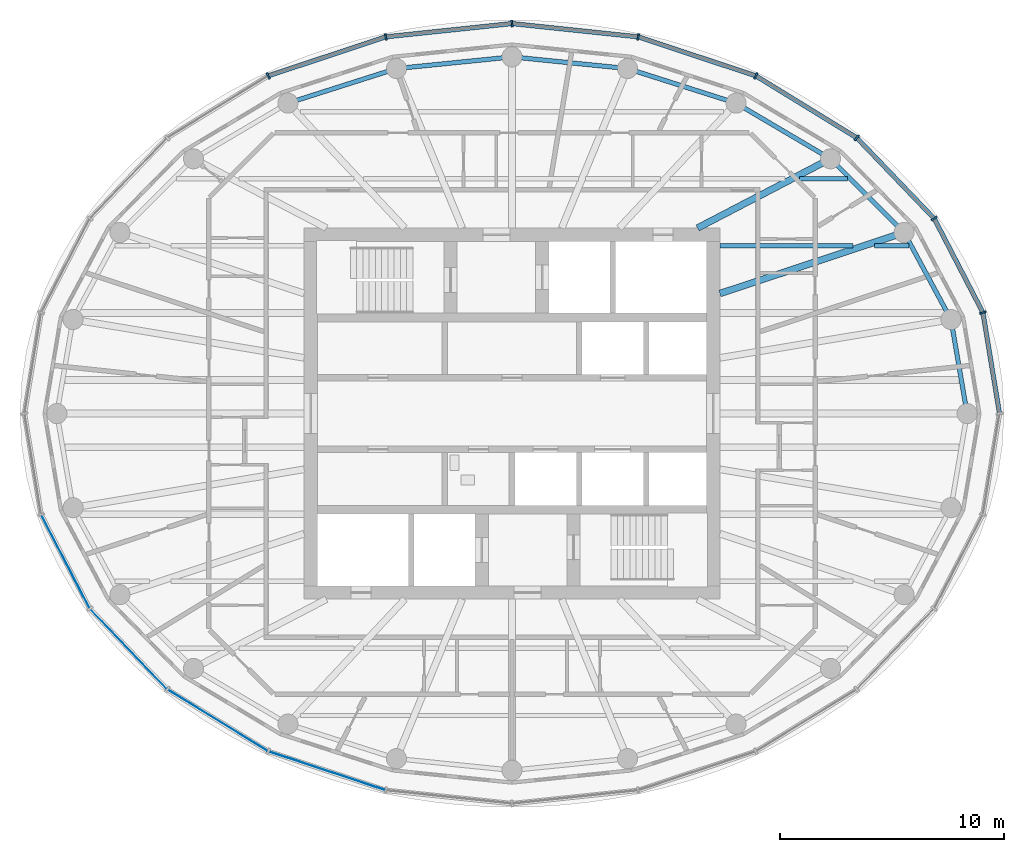
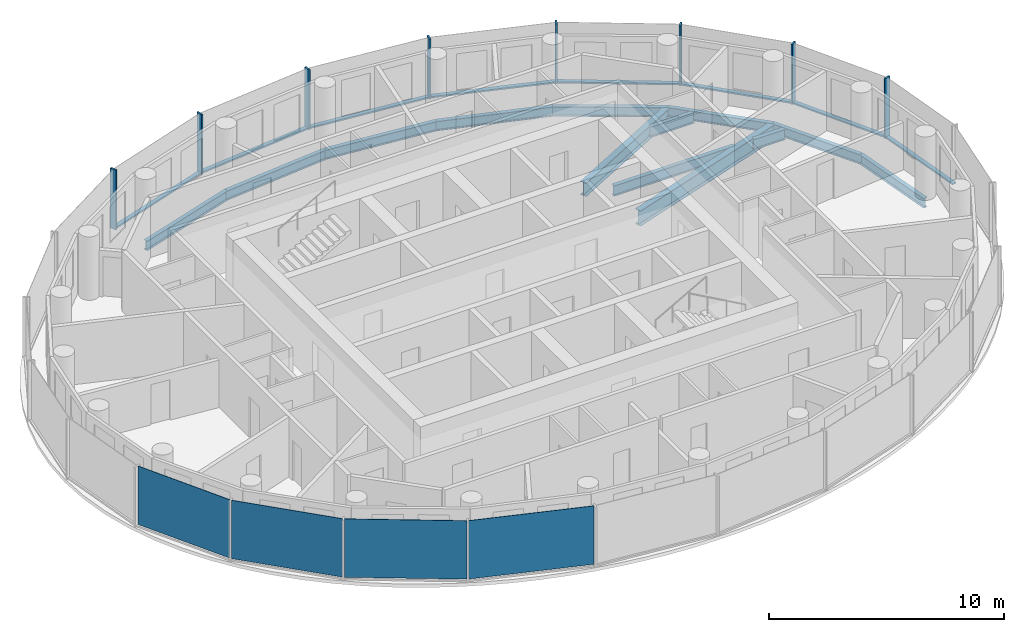
# One storey, part 3 of 12: 16 members, 13 beams, 4 plates, 3 elements without a shape of their own.
"""IFC4 building model written with IfcOpenShell, lengths in metres."""

from ifc_helpers import new_model, si_unit, direction, frame, origin, origin_2d, place, context, subcontext, project, spatial, rectangle, i_section, extrude, material, layer, layer_set, material_profile, profile_set, type_object, element, aggregate, save


model = new_model("IFC4")

# Units and contexts
model_context = context("Model", 3, precision=1e-05, world=origin(), true_north=direction((0.0, 1.0)))
body_context = subcontext(model_context, "Body", "Model", "MODEL_VIEW")
ifc_project = project(units=[si_unit("LENGTHUNIT", "METRE"), si_unit("AREAUNIT", "SQUARE_METRE"), si_unit("VOLUMEUNIT", "CUBIC_METRE"), si_unit("PLANEANGLEUNIT", "RADIAN"), si_unit("MASSUNIT", "GRAM", prefix="KILO")], contexts=[model_context])

# Site, building, storey
site_placement = place(None, origin())
site = spatial("IfcSite", under=ifc_project, at=site_placement, CompositionType="ELEMENT")
building_placement = place(site_placement, origin())
building = spatial("IfcBuilding", under=site, at=building_placement, Name="Hankou Lantern Tower", CompositionType="ELEMENT")
storey_placement = place(building_placement, frame((0.0, 0.0, 216.0)))
storey = spatial("IfcBuildingStorey", under=building, at=storey_placement, Name="L58", CompositionType="ELEMENT", Elevation=216.0)

# Beams
ifc_material_1 = material(Name="Steel Q355B", Category="steel")
ifc_material_profile_1 = material_profile(ifc_material_1, i_section(OverallWidth=0.199951171875, OverallDepth=0.5, WebThickness=0.010009765625, FlangeThickness=0.01611328125, FilletRadius=0.012939453125, at=origin_2d()), Name="HN500x200x10x16")
ifc_profile_set_1 = profile_set([ifc_material_profile_1], Name="Steel Q355B")
beam_type_1 = type_object("IfcBeamType", Name="EB5 RING BEAM HN500x200x10x16", PredefinedType="SPANDREL", material=ifc_profile_set_1)
beam_1_placement = place(storey_placement, frame((20.35009765625, 0.0, -0.429931640625), z_axis=(-0.168876512999, 0.98563721691, 0.0), x_axis=(-0.98563721691, -0.168876512999, 0.0)))
element("IfcBeam", 1, at=beam_1_placement, inside=storey, type_object=beam_type_1, Name="Ring beam R01-R02 L58", PredefinedType="SPANDREL", context=body_context, shape_type="SweptSolid", body=[
    extrude(i_section(OverallWidth=0.199951171875, OverallDepth=0.5, WebThickness=0.010009765625, FlangeThickness=0.01611328125, FilletRadius=0.012939453125, at=origin_2d()), origin(), (0.0, 0.0, 1.0), 4.26904296875),
])
beam_2_placement = place(storey_placement, frame((19.629150390625, 4.207763671875, -0.429931640625), z_axis=(-0.474491806611, 0.880259919262, 0.0), x_axis=(-0.880259919262, -0.474491806611, 0.0)))
element("IfcBeam", 2, at=beam_2_placement, inside=storey, type_object=beam_type_1, Name="Ring beam R02-R03 L58", PredefinedType="SPANDREL", context=body_context, shape_type="SweptSolid", body=[
    extrude(i_section(OverallWidth=0.199951171875, OverallDepth=0.5, WebThickness=0.010009765625, FlangeThickness=0.01611328125, FilletRadius=0.012939453125, at=origin_2d()), origin(), (0.0, 0.0, 1.0), 4.419189453125),
])
beam_3_placement = place(storey_placement, frame((17.5322265625, 8.097900390625, -0.429931640625), z_axis=(-0.706608588034, 0.707604623583, 0.0), x_axis=(-0.707604623583, -0.706608588034, 0.0)))
element("IfcBeam", 3, at=beam_3_placement, inside=storey, type_object=beam_type_1, Name="Ring beam R03-R04 L58", PredefinedType="SPANDREL", context=body_context, shape_type="SweptSolid", body=[
    extrude(i_section(OverallWidth=0.199951171875, OverallDepth=0.5, WebThickness=0.010009765625, FlangeThickness=0.01611328125, FilletRadius=0.012939453125, at=origin_2d()), origin(), (0.0, 0.0, 1.0), 4.6572265625),
])
beam_4_placement = place(storey_placement, frame((14.241455078125, 11.393310546875, -0.429931640625), z_axis=(-0.861422897323, 0.507888365655, 0.0), x_axis=(-0.507888365655, -0.861422897323, 0.0)))
element("IfcBeam", 4, at=beam_4_placement, inside=storey, type_object=beam_type_1, Name="Ring beam R04-R05 L58", PredefinedType="SPANDREL", context=body_context, shape_type="SweptSolid", body=[
    extrude(i_section(OverallWidth=0.199951171875, OverallDepth=0.5, WebThickness=0.010009765625, FlangeThickness=0.01611328125, FilletRadius=0.012939453125, at=origin_2d()), origin(), (0.0, 0.0, 1.0), 4.901611328125),
])
beam_5_placement = place(storey_placement, frame((10.01904296875, 13.8828125, -0.429931640625), z_axis=(-0.952887359315, 0.303324381574, 0.0), x_axis=(-0.303324381574, -0.952887359315, 0.0)))
element("IfcBeam", 5, at=beam_5_placement, inside=storey, type_object=beam_type_1, Name="Ring beam R05-R06 L58", PredefinedType="SPANDREL", context=body_context, shape_type="SweptSolid", body=[
    extrude(i_section(OverallWidth=0.199951171875, OverallDepth=0.5, WebThickness=0.010009765625, FlangeThickness=0.01611328125, FilletRadius=0.012939453125, at=origin_2d()), origin(), (0.0, 0.0, 1.0), 5.091796875),
])
for number, where, z_axis, x_axis, name in (
    (6, (5.167236328125, 15.42724609375, -0.429931640625), (-0.994922507736, 0.100643944676, 0.0), (-0.100643944676, -0.994922507736, 0.0), "Ring beam R06-R07 L58"),
    (7, (0.0, 15.949951171875, -0.429931640625), (-0.994922507736, -0.100643944676, 0.0), (0.100643944676, -0.994922507736, 0.0), "Ring beam R07-R08 L58"),
):
    element("IfcBeam", number, at=place(storey_placement, frame(where, z_axis=z_axis, x_axis=x_axis)), inside=storey, type_object=beam_type_1, Name=name, PredefinedType="SPANDREL", context=body_context, shape_type="SweptSolid", body=[
        extrude(i_section(OverallWidth=0.199951171875, OverallDepth=0.5, WebThickness=0.010009765625, FlangeThickness=0.01611328125, FilletRadius=0.012939453125, at=origin_2d()), origin(), (0.0, 0.0, 1.0), 5.193603515625),
    ])
beam_6_placement = place(storey_placement, frame((-5.167236328125, 15.42724609375, -0.429931640625), z_axis=(-0.952887359315, -0.303324381574, 0.0), x_axis=(0.303324381574, -0.952887359315, 0.0)))
element("IfcBeam", 8, at=beam_6_placement, inside=storey, type_object=beam_type_1, Name="Ring beam R08-R09 L58", PredefinedType="SPANDREL", context=body_context, shape_type="SweptSolid", body=[
    extrude(i_section(OverallWidth=0.199951171875, OverallDepth=0.5, WebThickness=0.010009765625, FlangeThickness=0.01611328125, FilletRadius=0.012939453125, at=origin_2d()), origin(), (0.0, 0.0, 1.0), 5.091796875),
])

# Curtain wall, members
ifc_material_2 = material(Name="Glass, dark grey tinted laminated", Category="glass")
curtain_wall_type = type_object("IfcCurtainWallType", Name="CWD OUTER SKIN SUITE", PredefinedType="USERDEFINED", material=ifc_material_2)
curtain_wall_1_placement = place(storey_placement, origin())
curtain_wall_1 = element("IfcCurtainWall", 9, at=curtain_wall_1_placement, inside=storey, type_object=curtain_wall_type, Name="CWD L58 OS1", ObjectType="OUTER SKIN SUITE", PredefinedType="USERDEFINED")
ifc_material_3 = material(Name="Aluminium, black anodised", Category="aluminium")
ifc_material_profile_2 = material_profile(ifc_material_3, rectangle(XDim=0.080078125, YDim=0.300048828125, at=origin_2d()), Name="MU1 80X300")
ifc_profile_set_2 = profile_set([ifc_material_profile_2], Name="Aluminium, black anodised")
member_type_1 = type_object("IfcMemberType", Name="MU1 OUTER SKIN MULLION 80X300", PredefinedType="MULLION", material=ifc_profile_set_2)
member_1_placement = place(storey_placement, frame((21.05712890625, 4.513916015625, 0.0), z_axis=(0.0, 0.0, 1.0), x_axis=(-0.317595577365, 0.94822626479, 0.0)))
member_1 = element("IfcMember", 10, at=member_1_placement, type_object=member_type_1, Name="CWD mullion 2", PredefinedType="MULLION", context=body_context, shape_type="SweptSolid", body=[
    extrude(rectangle(XDim=0.080078125, YDim=0.300048828125, at=origin_2d()), origin(), (0.0, 0.0, 1.0), 3.1201171875),
])
member_2_placement = place(storey_placement, frame((18.87939453125, 8.719970703125, 0.0), z_axis=(0.0, 0.0, 1.0), x_axis=(-0.585205735974, 0.810884854084, 0.0)))
member_2 = element("IfcMember", 11, at=member_2_placement, type_object=member_type_1, Name="CWD mullion 3", PredefinedType="MULLION", context=body_context, shape_type="SweptSolid", body=[
    extrude(rectangle(XDim=0.080078125, YDim=0.300048828125, at=origin_2d()), origin(), (0.0, 0.0, 1.0), 3.1201171875),
])
member_3_placement = place(storey_placement, frame((15.4150390625, 12.33203125, 0.0), z_axis=(0.0, 0.0, 1.0), x_axis=(-0.780868809444, 0.624695047553, 0.0)))
member_3 = element("IfcMember", 12, at=member_3_placement, type_object=member_type_1, Name="CWD mullion 4", PredefinedType="MULLION", context=body_context, shape_type="SweptSolid", body=[
    extrude(rectangle(XDim=0.080078125, YDim=0.300048828125, at=origin_2d()), origin(), (0.0, 0.0, 1.0), 3.1201171875),
])
member_4_placement = place(storey_placement, frame((10.89990234375, 15.103515625, 0.0), z_axis=(0.0, 0.0, 1.0), x_axis=(-0.907841299004, 0.419313934686, 0.0)))
member_4 = element("IfcMember", 13, at=member_4_placement, type_object=member_type_1, Name="CWD mullion 5", PredefinedType="MULLION", context=body_context, shape_type="SweptSolid", body=[
    extrude(rectangle(XDim=0.080078125, YDim=0.300048828125, at=origin_2d()), origin(), (0.0, 0.0, 1.0), 3.1201171875),
])
member_5_placement = place(storey_placement, frame((5.642333984375, 16.845703125, 0.0), z_axis=(0.0, 0.0, 1.0), x_axis=(-0.977787659625, 0.209597931016, 0.0)))
member_5 = element("IfcMember", 14, at=member_5_placement, type_object=member_type_1, Name="CWD mullion 6", PredefinedType="MULLION", context=body_context, shape_type="SweptSolid", body=[
    extrude(rectangle(XDim=0.080078125, YDim=0.300048828125, at=origin_2d()), origin(), (0.0, 0.0, 1.0), 3.1201171875),
])

curtain_wall_2_placement = place(storey_placement, origin())
curtain_wall_2 = element("IfcCurtainWall", 15, at=curtain_wall_2_placement, inside=storey, type_object=curtain_wall_type, Name="CWD L58 OS2", ObjectType="OUTER SKIN SUITE", PredefinedType="USERDEFINED")
member_6_placement = place(storey_placement, frame((0.0, 17.43994140625, 0.0), z_axis=(0.0, 0.0, 1.0), x_axis=(-0.994499359107, -0.104742659579, 0.0)))
member_6 = element("IfcMember", 16, at=member_6_placement, type_object=member_type_1, Name="CWD mullion 1", PredefinedType="MULLION", context=body_context, shape_type="SweptSolid", body=[
    extrude(rectangle(XDim=0.080078125, YDim=0.300048828125, at=origin_2d()), origin(), (0.0, 0.0, 1.0), 3.1201171875),
])
member_7_placement = place(storey_placement, frame((-5.642333984375, 16.845703125, 0.0), z_axis=(0.0, 0.0, 1.0), x_axis=(-0.977787659625, -0.209597931016, 0.0)))
member_7 = element("IfcMember", 17, at=member_7_placement, type_object=member_type_1, Name="CWD mullion 2", PredefinedType="MULLION", context=body_context, shape_type="SweptSolid", body=[
    extrude(rectangle(XDim=0.080078125, YDim=0.300048828125, at=origin_2d()), origin(), (0.0, 0.0, 1.0), 3.1201171875),
])
member_8_placement = place(storey_placement, frame((-10.89990234375, 15.103515625, 0.0), z_axis=(0.0, 0.0, 1.0), x_axis=(-0.907841299004, -0.419313934686, 0.0)))
member_8 = element("IfcMember", 18, at=member_8_placement, type_object=member_type_1, Name="CWD mullion 3", PredefinedType="MULLION", context=body_context, shape_type="SweptSolid", body=[
    extrude(rectangle(XDim=0.080078125, YDim=0.300048828125, at=origin_2d()), origin(), (0.0, 0.0, 1.0), 3.1201171875),
])

# Beams
ifc_material_4 = material(Name="Steel Q355B", Category="steel")
ifc_material_profile_3 = material_profile(ifc_material_4, i_section(OverallWidth=0.300048828125, OverallDepth=0.800048828125, WebThickness=0.013916015625, FlangeThickness=0.02587890625, FilletRadius=0.01806640625, at=origin_2d()), Name="HN800x300x14x26")
ifc_profile_set_3 = profile_set([ifc_material_profile_3], Name="Steel Q355B")
beam_type_2 = type_object("IfcBeamType", Name="RB11 RADIAL BEAM HN800x300x14x26", PredefinedType="BEAM", material=ifc_profile_set_3)
beam_7_placement = place(storey_placement, frame((9.300048828125, 5.369384765625, -0.580078125), z_axis=(0.949219608576, 0.314614263337, 0.0), x_axis=(-0.314614263337, 0.949219608576, 0.0)))
element("IfcBeam", 19, at=beam_7_placement, inside=storey, type_object=beam_type_2, Name="Radial beam R03 L58", PredefinedType="BEAM", context=body_context, shape_type="SweptSolid", body=[
    extrude(i_section(OverallWidth=0.300048828125, OverallDepth=0.800048828125, WebThickness=0.013916015625, FlangeThickness=0.02587890625, FilletRadius=0.01806640625, at=origin_2d()), origin(), (0.0, 0.0, 1.0), 8.672607421875),
])
ifc_material_5 = material(Name="Steel Q355B", Category="steel")
ifc_material_profile_4 = material_profile(ifc_material_5, i_section(OverallWidth=0.300048828125, OverallDepth=0.699951171875, WebThickness=0.012939453125, FlangeThickness=0.02392578125, FilletRadius=0.01806640625, at=origin_2d()), Name="HN700x300x13x24")
ifc_profile_set_4 = profile_set([ifc_material_profile_4], Name="Steel Q355B")
beam_type_3 = type_object("IfcBeamType", Name="RB9 RADIAL BEAM HN700x300x13x24", PredefinedType="BEAM", material=ifc_profile_set_4)
beam_8_placement = place(storey_placement, frame((8.300048828125, 8.300048828125, -0.530029296875), z_axis=(0.886988734783, 0.461791061378, 0.0), x_axis=(-0.461791061378, 0.886988734783, 0.0)))
element("IfcBeam", 20, at=beam_8_placement, inside=storey, type_object=beam_type_3, Name="Radial beam R04 L58", PredefinedType="BEAM", context=body_context, shape_type="SweptSolid", body=[
    extrude(i_section(OverallWidth=0.300048828125, OverallDepth=0.699951171875, WebThickness=0.012939453125, FlangeThickness=0.02392578125, FilletRadius=0.01806640625, at=origin_2d()), origin(), (0.0, 0.0, 1.0), 6.698486328125),
])
ifc_material_6 = material(Name="Steel Q355B", Category="steel")
ifc_material_profile_5 = material_profile(ifc_material_6, i_section(OverallWidth=0.199951171875, OverallDepth=0.550048828125, WebThickness=0.010009765625, FlangeThickness=0.01611328125, FilletRadius=0.012939453125, at=origin_2d()), Name="HN550x200x10x16")
ifc_profile_set_5 = profile_set([ifc_material_profile_5], Name="Steel Q355B")
beam_type_4 = type_object("IfcBeamType", Name="SB6 SECONDARY BEAM HN550x200x10x16", PredefinedType="JOIST", material=ifc_profile_set_5)
beam_9_placement = place(storey_placement, frame((9.300048828125, 7.5, -0.455078125), z_axis=(1.0, 0.0, 0.0), x_axis=(0.0, 1.0, 0.0)))
element("IfcBeam", 21, at=beam_9_placement, inside=storey, type_object=beam_type_4, Name="Floor joist J027 L58", PredefinedType="JOIST", context=body_context, shape_type="SweptSolid", body=[
    extrude(i_section(OverallWidth=0.199951171875, OverallDepth=0.550048828125, WebThickness=0.010009765625, FlangeThickness=0.01611328125, FilletRadius=0.012939453125, at=origin_2d()), origin(), (0.0, 0.0, 1.0), 5.95166015625),
])
beam_10_placement = place(storey_placement, frame((16.205322265625, 7.5, -0.455078125), z_axis=(1.0, 0.0, 0.0), x_axis=(0.0, 1.0, 0.0)))
element("IfcBeam", 22, at=beam_10_placement, inside=storey, type_object=beam_type_4, Name="Floor joist J028 L58", PredefinedType="JOIST", context=body_context, shape_type="SweptSolid", body=[
    extrude(i_section(OverallWidth=0.199951171875, OverallDepth=0.550048828125, WebThickness=0.010009765625, FlangeThickness=0.01611328125, FilletRadius=0.012939453125, at=origin_2d()), origin(), (0.0, 0.0, 1.0), 1.53564453125),
])
beam_11_placement = place(storey_placement, frame((12.8505859375, 10.5, -0.455078125), z_axis=(1.0, 0.0, 0.0), x_axis=(0.0, 1.0, 0.0)))
element("IfcBeam", 23, at=beam_11_placement, inside=storey, type_object=beam_type_4, Name="Floor joist J036 L58", PredefinedType="JOIST", context=body_context, shape_type="SweptSolid", body=[
    extrude(i_section(OverallWidth=0.199951171875, OverallDepth=0.550048828125, WebThickness=0.010009765625, FlangeThickness=0.01611328125, FilletRadius=0.012939453125, at=origin_2d()), origin(), (0.0, 0.0, 1.0), 2.1416015625),
])

# Member
ifc_material_7 = material(Name="Aluminium, black anodised", Category="aluminium")
ifc_material_profile_6 = material_profile(ifc_material_7, rectangle(XDim=0.199951171875, YDim=0.080078125, at=origin_2d()), Name="TR1 200X80")
ifc_profile_set_6 = profile_set([ifc_material_profile_6], Name="Aluminium, black anodised")
member_type_2 = type_object("IfcMemberType", Name="TR1 OUTER SKIN TRANSOM 200X80", PredefinedType="USERDEFINED", material=ifc_profile_set_6)
member_9_placement = place(storey_placement, frame((21.79345703125, 0.03955078125, 0.0400390625), z_axis=(-0.162363822839, 0.986730960816, 0.0), x_axis=(-0.986730960816, -0.162363822839, 0.0)))
member_9 = element("IfcMember", 24, at=member_9_placement, type_object=member_type_2, Name="CWD transom 1", ObjectType="TRANSOM", PredefinedType="USERDEFINED", context=body_context, shape_type="SweptSolid", body=[
    extrude(rectangle(XDim=0.199951171875, YDim=0.080078125, at=origin_2d()), origin(), (0.0, 0.0, 1.0), 4.494384765625),
])

member_10_placement = place(storey_placement, frame((21.038818359375, 4.54931640625, 0.0400390625), z_axis=(-0.45979371115, 0.888025755925, 0.0), x_axis=(-0.888025755925, -0.45979371115, 0.0)))
member_10 = element("IfcMember", 25, at=member_10_placement, type_object=member_type_2, Name="CWD transom 2", ObjectType="TRANSOM", PredefinedType="USERDEFINED", context=body_context, shape_type="SweptSolid", body=[
    extrude(rectangle(XDim=0.199951171875, YDim=0.080078125, at=origin_2d()), origin(), (0.0, 0.0, 1.0), 4.65673828125),
])

member_11_placement = place(storey_placement, frame((18.8515625, 8.748779296875, 0.0400390625), z_axis=(-0.692204633274, 0.721701285626, 0.0), x_axis=(-0.721701285626, -0.692204633274, 0.0)))
member_11 = element("IfcMember", 26, at=member_11_placement, type_object=member_type_2, Name="CWD transom 3", ObjectType="TRANSOM", PredefinedType="USERDEFINED", context=body_context, shape_type="SweptSolid", body=[
    extrude(rectangle(XDim=0.199951171875, YDim=0.080078125, at=origin_2d()), origin(), (0.0, 0.0, 1.0), 4.9248046875),
])

member_12_placement = place(storey_placement, frame((15.380859375, 12.352783203125, 0.0400390625), z_axis=(-0.852234544008, 0.523159900986, 0.0), x_axis=(-0.523159900986, -0.852234544008, 0.0)))
member_12 = element("IfcMember", 27, at=member_12_placement, type_object=member_type_2, Name="CWD transom 4", ObjectType="TRANSOM", PredefinedType="USERDEFINED", context=body_context, shape_type="SweptSolid", body=[
    extrude(rectangle(XDim=0.199951171875, YDim=0.080078125, at=origin_2d()), origin(), (0.0, 0.0, 1.0), 5.2177734375),
])

member_13_placement = place(storey_placement, frame((10.862060546875, 15.115966796875, 0.0400390625), z_axis=(-0.949231947668, 0.314577032739, 0.0), x_axis=(-0.314577032739, -0.949231947668, 0.0)))
member_13 = element("IfcMember", 28, at=member_13_placement, type_object=member_type_2, Name="CWD transom 5", ObjectType="TRANSOM", PredefinedType="USERDEFINED", context=body_context, shape_type="SweptSolid", body=[
    extrude(rectangle(XDim=0.199951171875, YDim=0.080078125, at=origin_2d()), origin(), (0.0, 0.0, 1.0), 5.458984375),
])

member_14_placement = place(storey_placement, frame((5.6025390625, 16.849853515625, 0.0400390625), z_axis=(-0.994498275726, 0.104752945435, 0.0), x_axis=(-0.104752945435, -0.994498275726, 0.0)))
member_14 = element("IfcMember", 29, at=member_14_placement, type_object=member_type_2, Name="CWD transom 6", ObjectType="TRANSOM", PredefinedType="USERDEFINED", context=body_context, shape_type="SweptSolid", body=[
    extrude(rectangle(XDim=0.199951171875, YDim=0.080078125, at=origin_2d()), origin(), (0.0, 0.0, 1.0), 5.593505859375),
])

aggregate(curtain_wall_1, [member_1, member_2, member_3, member_4, member_5, member_9, member_10, member_11, member_12, member_13, member_14])

member_15_placement = place(storey_placement, frame((-0.039794921875, 17.435791015625, 0.0400390625), z_axis=(-0.994498275726, -0.104752945435, 0.0), x_axis=(0.104752945435, -0.994498275726, 0.0)))
member_15 = element("IfcMember", 30, at=member_15_placement, type_object=member_type_2, Name="CWD transom 1", ObjectType="TRANSOM", PredefinedType="USERDEFINED", context=body_context, shape_type="SweptSolid", body=[
    extrude(rectangle(XDim=0.199951171875, YDim=0.080078125, at=origin_2d()), origin(), (0.0, 0.0, 1.0), 5.593505859375),
])

member_16_placement = place(storey_placement, frame((-5.68017578125, 16.833251953125, 0.0400390625), z_axis=(-0.949231947668, -0.314577032739, 0.0), x_axis=(0.314577032739, -0.949231947668, 0.0)))
member_16 = element("IfcMember", 31, at=member_16_placement, type_object=member_type_2, Name="CWD transom 2", ObjectType="TRANSOM", PredefinedType="USERDEFINED", context=body_context, shape_type="SweptSolid", body=[
    extrude(rectangle(XDim=0.199951171875, YDim=0.080078125, at=origin_2d()), origin(), (0.0, 0.0, 1.0), 5.458984375),
])

aggregate(curtain_wall_2, [member_6, member_7, member_8, member_15, member_16])

# Curtain wall, plates
curtain_wall_3_placement = place(storey_placement, origin())
curtain_wall_3 = element("IfcCurtainWall", 32, at=curtain_wall_3_placement, inside=storey, type_object=curtain_wall_type, Name="CWD L58 OS3", ObjectType="OUTER SKIN SUITE", PredefinedType="USERDEFINED")
ifc_material_8 = material(Name="Glass, dark grey tinted laminated", Category="glass")
ifc_layer = layer(ifc_material_8, 0.02392578125)
ifc_layer_set = layer_set([ifc_layer], Name="Glass, dark grey tinted laminated")
plate_type = type_object("IfcPlateType", Name="PN1 OUTER SKIN GLASS PANEL", PredefinedType="CURTAIN_PANEL", material=ifc_layer_set)
plate_1_placement = place(storey_placement, frame((-19.96826171875, -6.616943359375, 0.080078125), z_axis=(0.0, 0.0, 1.0), x_axis=(0.459791091957, -0.888027112062, 0.0)))
plate_1 = element("IfcPlate", 33, at=plate_1_placement, type_object=plate_type, Name="CWD glass panel 2", PredefinedType="CURTAIN_PANEL", context=body_context, shape_type="SweptSolid", body=[
    extrude(rectangle(XDim=4.656494140625, YDim=0.02392578125, at=origin_2d()), origin(), (0.0, 0.0, 1.0), 3.0400390625),
])
plate_2_placement = place(storey_placement, frame((-17.147216796875, -10.52587890625, 0.080078125), z_axis=(0.0, 0.0, 1.0), x_axis=(0.692215809936, -0.721690565599, 0.0)))
plate_2 = element("IfcPlate", 34, at=plate_2_placement, type_object=plate_type, Name="CWD glass panel 3", PredefinedType="CURTAIN_PANEL", context=body_context, shape_type="SweptSolid", body=[
    extrude(rectangle(XDim=4.9248046875, YDim=0.02392578125, at=origin_2d()), origin(), (0.0, 0.0, 1.0), 3.0400390625),
])
plate_3_placement = place(storey_placement, frame((-13.157470703125, -13.7177734375, 0.080078125), z_axis=(0.0, 0.0, 1.0), x_axis=(0.852237151549, -0.523155653242, 0.0)))
plate_3 = element("IfcPlate", 35, at=plate_3_placement, type_object=plate_type, Name="CWD glass panel 4", PredefinedType="CURTAIN_PANEL", context=body_context, shape_type="SweptSolid", body=[
    extrude(rectangle(XDim=5.2177734375, YDim=0.02392578125, at=origin_2d()), origin(), (0.0, 0.0, 1.0), 3.0400390625),
])
plate_4_placement = place(storey_placement, frame((-8.271240234375, -15.974609375, 0.080078125), z_axis=(0.0, 0.0, 1.0), x_axis=(0.949240677293, -0.31455068999, 0.0)))
plate_4 = element("IfcPlate", 36, at=plate_4_placement, type_object=plate_type, Name="CWD glass panel 5", PredefinedType="CURTAIN_PANEL", context=body_context, shape_type="SweptSolid", body=[
    extrude(rectangle(XDim=5.458984375, YDim=0.02392578125, at=origin_2d()), origin(), (0.0, 0.0, 1.0), 3.0400390625),
])
aggregate(curtain_wall_3, [plate_1, plate_2, plate_3, plate_4])

save(model, "model.ifc")
